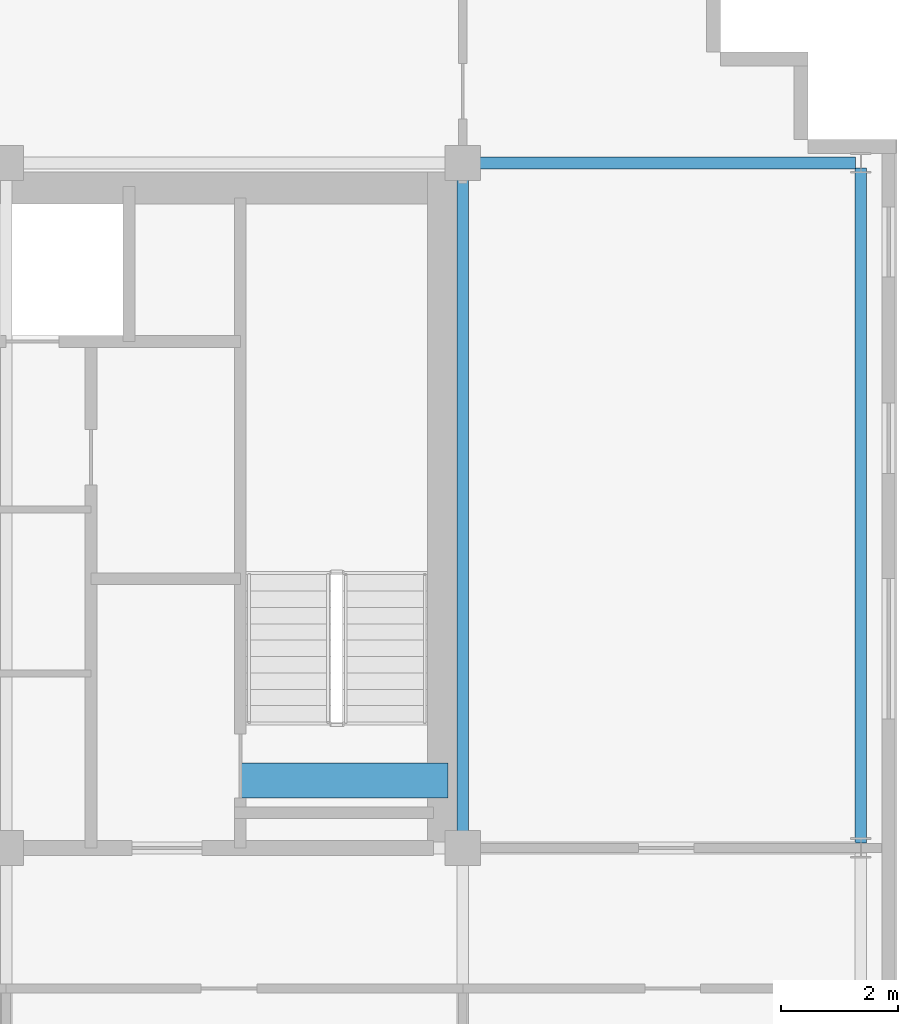
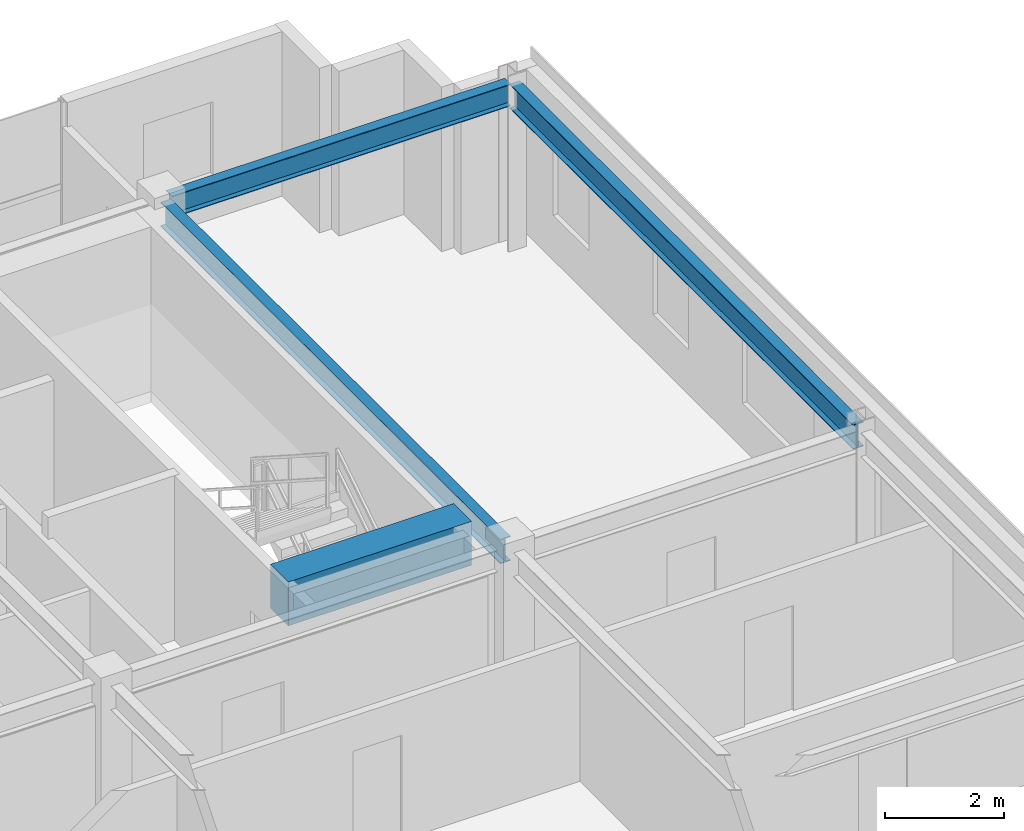
# One storey, part 13 of 22: 4 beams.
"""IFC4 building model written with IfcOpenShell, lengths in metres."""

from ifc_helpers import new_model, si_unit, direction, frame, origin, origin_2d, place, context, subcontext, project, spatial, rectangle, i_section, extrude, source, transform, mapped, material, material_profile, profile_set, type_object, element, save


model = new_model("IFC4")

# Units and contexts
model_context = context("Model", 3, precision=1e-05, world=origin(), true_north=direction((0.0, 1.0)))
body_context = subcontext(model_context, "Body", "Model", "MODEL_VIEW")
ifc_project = project(units=[si_unit("LENGTHUNIT", "METRE"), si_unit("AREAUNIT", "SQUARE_METRE"), si_unit("VOLUMEUNIT", "CUBIC_METRE"), si_unit("PLANEANGLEUNIT", "RADIAN"), si_unit("MASSUNIT", "GRAM", prefix="KILO")], contexts=[model_context])

# Site, building, storey
site_placement = place(None, origin())
site = spatial("IfcSite", under=ifc_project, at=site_placement, CompositionType="ELEMENT")
building_placement = place(site_placement, origin())
building = spatial("IfcBuilding", under=site, at=building_placement, Name="Trelvane Seafront Commons", CompositionType="ELEMENT")
storey_placement = place(building_placement, frame((0.0, 0.0, 288.300048828125)))
storey = spatial("IfcBuildingStorey", under=building, at=storey_placement, Name="L75", CompositionType="ELEMENT", Elevation=288.300048828125)

# Beams
ifc_material_1 = material(Name="Concrete C60/75", Category="concrete")
ifc_material_profile_1 = material_profile(ifc_material_1, rectangle(XDim=0.60009765625, YDim=0.89990234375, at=origin_2d()), Name="RC-600x900")
ifc_profile_set_1 = profile_set([ifc_material_profile_1], Name="Concrete C60/75")
beam_type_1 = type_object("IfcBeamType", Name="STR-LNT-RC600x900", PredefinedType="LINTEL", material=ifc_profile_set_1)
shared_shape_1 = source(origin(), body_context, "Body", "SweptSolid", [
    extrude(rectangle(XDim=0.60009765625, YDim=0.89990234375, at=origin_2d()), origin(), (0.0, 0.0, 1.0), 3.550048828125),
])
beam_1_placement = place(storey_placement, frame((55.0, 34.550048828125, 2.919921875), z_axis=(1.0, 0.0, 0.0), x_axis=(0.0, 1.0, 0.0)))
element("IfcBeam", 1, at=beam_1_placement, inside=storey, type_object=beam_type_1, Name="L75 Core Coupling Lintel Beam CB-67", PredefinedType="LINTEL", context=body_context, shape_type="MappedRepresentation", body=[
    mapped(shared_shape_1, transform((0.0, 0.0, 0.0), x_axis=(1.0, 0.0, 0.0), y_axis=(0.0, 1.0, 0.0), z_axis=(0.0, 0.0, 1.0), scale=1.0)),
])
ifc_material_2 = material(Name="Steel SM355 (S355)", Category="steel")
ifc_material_profile_2 = material_profile(ifc_material_2, i_section(OverallWidth=0.199951171875, OverallDepth=0.5, WebThickness=0.010009765625, FlangeThickness=0.01611328125, at=origin_2d()), Name="H-500x200x10x16")
ifc_profile_set_2 = profile_set([ifc_material_profile_2], Name="Steel SM355 (S355)")
beam_type_2 = type_object("IfcBeamType", Name="STR-BM-H500", PredefinedType="BEAM", material=ifc_profile_set_2)
shared_shape_2 = source(origin(), body_context, "Body", "SweptSolid", [
    extrude(i_section(OverallWidth=0.199951171875, OverallDepth=0.5, WebThickness=0.010009765625, FlangeThickness=0.01611328125, at=origin_2d()), origin(), (0.0, 0.0, 1.0), 11.39990234375),
])
beam_2_placement = place(storey_placement, frame((58.800048828125, 33.550048828125, 3.119873046875), z_axis=(0.0, 1.0, 0.0), x_axis=(-1.0, 0.0, 0.0)))
element("IfcBeam", 2, at=beam_2_placement, inside=storey, type_object=beam_type_2, Name="L75 Primary Girder G-49", PredefinedType="BEAM", context=body_context, shape_type="MappedRepresentation", body=[
    mapped(shared_shape_2, transform((0.0, 0.0, 0.0), x_axis=(1.0, 0.0, 0.0), y_axis=(0.0, 1.0, 0.0), z_axis=(0.0, 0.0, 1.0), scale=1.0)),
])
ifc_material_profile_3 = material_profile(ifc_material_2, i_section(OverallWidth=0.199951171875, OverallDepth=0.449951171875, WebThickness=0.009033203125, FlangeThickness=0.013916015625, at=origin_2d()), Name="H-450x200x9x14")
ifc_profile_set_3 = profile_set([ifc_material_profile_3], Name="Steel SM355 (S355)")
beam_type_3 = type_object("IfcBeamType", Name="STR-SPD-H450", PredefinedType="SPANDREL", material=ifc_profile_set_3)
shared_shape_3 = source(origin(), body_context, "Body", "SweptSolid", [
    extrude(i_section(OverallWidth=0.199951171875, OverallDepth=0.449951171875, WebThickness=0.009033203125, FlangeThickness=0.013916015625, at=origin_2d()), origin(), (0.0, 0.0, 1.0), 6.5625),
])
beam_3_placement = place(storey_placement, frame((58.949951171875, 45.10009765625, 3.14501953125), z_axis=(1.0, 0.0, 0.0), x_axis=(0.0, 1.0, 0.0)))
element("IfcBeam", 3, at=beam_3_placement, inside=storey, type_object=beam_type_3, Name="L75 Primary Girder G-28", PredefinedType="SPANDREL", context=body_context, shape_type="MappedRepresentation", body=[
    mapped(shared_shape_3, transform((0.0, 0.0, 0.0), x_axis=(1.0, 0.0, 0.0), y_axis=(0.0, 1.0, 0.0), z_axis=(0.0, 0.0, 1.0), scale=1.0)),
])
shared_shape_4 = source(origin(), body_context, "Body", "SweptSolid", [
    extrude(i_section(OverallWidth=0.199951171875, OverallDepth=0.5, WebThickness=0.010009765625, FlangeThickness=0.01611328125, at=origin_2d()), origin(), (0.0, 0.0, 1.0), 11.52490234375),
])
beam_4_placement = place(storey_placement, frame((65.60009765625, 33.487548828125, 3.119873046875), z_axis=(0.0, 1.0, 0.0), x_axis=(-1.0, 0.0, 0.0)))
element("IfcBeam", 4, at=beam_4_placement, inside=storey, type_object=beam_type_2, Name="L75 Primary Girder G-52", PredefinedType="BEAM", context=body_context, shape_type="MappedRepresentation", body=[
    mapped(shared_shape_4, transform((0.0, 0.0, 0.0), x_axis=(1.0, 0.0, 0.0), y_axis=(0.0, 1.0, 0.0), z_axis=(0.0, 0.0, 1.0), scale=1.0)),
])

save(model, "model.ifc")
